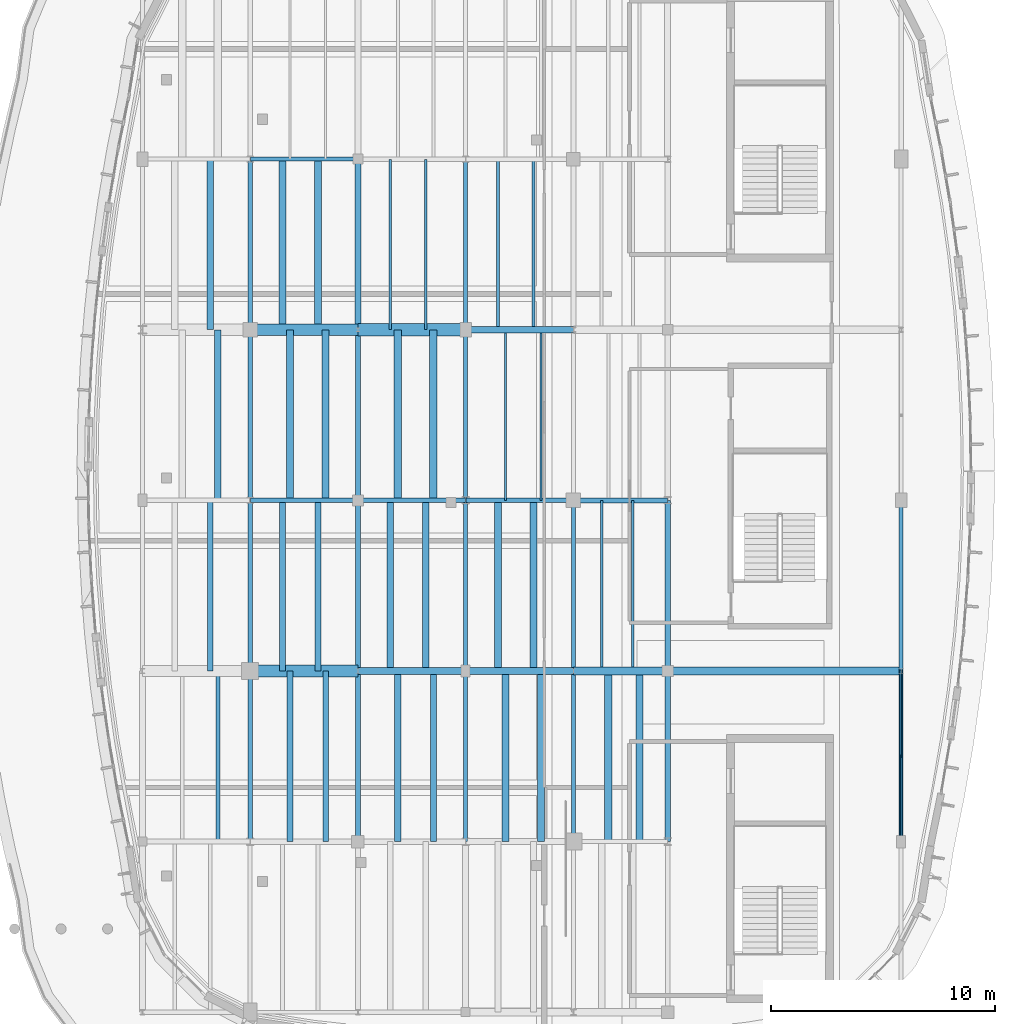
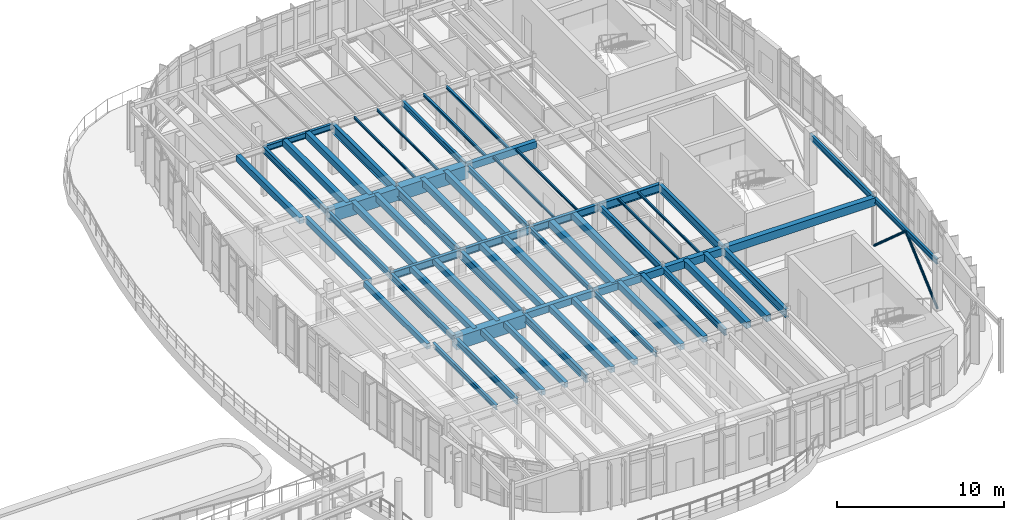
# One storey, part 51 of 111: 63 beams, 2 members.
"""IFC4 building model written with IfcOpenShell, lengths in metres."""

from ifc_helpers import new_model, si_unit, direction, frame, origin, origin_2d, place, context, subcontext, project, spatial, rectangle, hollow_circle, i_section, extrude, material, material_profile, profile_set, type_object, element, save


model = new_model("IFC4")

# Units and contexts
model_context = context("Model", 3, precision=1e-05, world=origin(), true_north=direction((0.0, 1.0)))
body_context = subcontext(model_context, "Body", "Model", "MODEL_VIEW")
ifc_project = project(units=[si_unit("LENGTHUNIT", "METRE"), si_unit("AREAUNIT", "SQUARE_METRE"), si_unit("VOLUMEUNIT", "CUBIC_METRE"), si_unit("PLANEANGLEUNIT", "RADIAN"), si_unit("MASSUNIT", "GRAM", prefix="KILO")], contexts=[model_context])

# Site, building, storey
site_placement = place(None, origin())
site = spatial("IfcSite", under=ifc_project, at=site_placement, CompositionType="ELEMENT")
building_placement = place(site_placement, origin())
building = spatial("IfcBuilding", under=site, at=building_placement, Name="Corveleigh Park Community Centre", CompositionType="ELEMENT")
storey_placement = place(building_placement, frame((0.0, 0.0, 4.800048828125)))
storey = spatial("IfcBuildingStorey", under=building, at=storey_placement, Name="L01", CompositionType="ELEMENT", Elevation=4.800048828125)

# Beams
ifc_material_1 = material(Name="Concrete C40/50", Category="concrete")
ifc_material_profile_1 = material_profile(ifc_material_1, rectangle(XDim=0.25, YDim=0.39990234375, at=origin_2d()), Name="RC-250x400", Category="concrete")
ifc_profile_set_1 = profile_set([ifc_material_profile_1], Name="Concrete C40/50")
beam_type_1 = type_object("IfcBeamType", Name="BM-RC-250x400", PredefinedType="JOIST", material=ifc_profile_set_1)
beam_1_placement = place(storey_placement, frame((137.6240234375, 73.804931640625, 3.411865234375), z_axis=(0.0, 1.0, 0.0), x_axis=(-1.0, 0.0, 0.0)))
element("IfcBeam", 1, at=beam_1_placement, inside=storey, type_object=beam_type_1, Name="Secondary floor joist", PredefinedType="JOIST", context=body_context, shape_type="SweptSolid", body=[
    extrude(rectangle(XDim=0.25, YDim=0.39990234375, at=origin_2d()), origin(), (0.0, 0.0, 1.0), 7.590087890625),
])
for number, where, z_axis, x_axis, name in (
    (2, (141.176025390625, 66.205078125, 3.411865234375), (0.0, 1.0, 0.0), (-1.0, 0.0, 0.0), "Secondary floor joist"),
    (3, (142.760009765625, 66.205078125, 3.411865234375), (0.0, 1.0, 0.0), (-1.0, 0.0, 0.0), "Secondary floor joist"),
):
    element("IfcBeam", number, at=place(storey_placement, frame(where, z_axis=z_axis, x_axis=x_axis)), inside=storey, type_object=beam_type_1, Name=name, PredefinedType="JOIST", context=body_context, shape_type="SweptSolid", body=[
        extrude(rectangle(XDim=0.25, YDim=0.39990234375, at=origin_2d()), origin(), (0.0, 0.0, 1.0), 7.58984375),
    ])
ifc_material_profile_2 = material_profile(ifc_material_1, rectangle(XDim=0.27490234375, YDim=0.425048828125, at=origin_2d()), Name="RC-275x425", Category="concrete")
ifc_profile_set_2 = profile_set([ifc_material_profile_2], Name="Concrete C40/50")
beam_type_2 = type_object("IfcBeamType", Name="BM-RC-275x425", PredefinedType="JOIST", material=ifc_profile_set_2)
for number, where, z_axis, x_axis, name in (
    (4, (137.9599609375, 81.405029296875, 3.3994140625), (0.0, 1.0, 0.0), (-1.0, 0.0, 0.0), "Secondary floor joist"),
    (5, (140.840087890625, 73.804931640625, 3.3994140625), (0.0, 1.0, 0.0), (-1.0, 0.0, 0.0), "Secondary floor joist"),
    (6, (142.424072265625, 73.804931640625, 3.3994140625), (0.0, 1.0, 0.0), (-1.0, 0.0, 0.0), "Secondary floor joist"),
):
    element("IfcBeam", number, at=place(storey_placement, frame(where, z_axis=z_axis, x_axis=x_axis)), inside=storey, type_object=beam_type_2, Name=name, PredefinedType="JOIST", context=body_context, shape_type="SweptSolid", body=[
        extrude(rectangle(XDim=0.27490234375, YDim=0.425048828125, at=origin_2d()), origin(), (0.0, 0.0, 1.0), 7.590087890625),
    ])
for number, where, z_axis, x_axis, name in (
    (7, (145.97607421875, 66.205078125, 3.3994140625), (0.0, 1.0, 0.0), (-1.0, 0.0, 0.0), "Secondary floor joist"),
    (8, (147.56005859375, 66.205078125, 3.3994140625), (0.0, 1.0, 0.0), (-1.0, 0.0, 0.0), "Secondary floor joist"),
):
    element("IfcBeam", number, at=place(storey_placement, frame(where, z_axis=z_axis, x_axis=x_axis)), inside=storey, type_object=beam_type_2, Name=name, PredefinedType="JOIST", context=body_context, shape_type="SweptSolid", body=[
        extrude(rectangle(XDim=0.27490234375, YDim=0.425048828125, at=origin_2d()), origin(), (0.0, 0.0, 1.0), 7.58984375),
    ])
ifc_material_profile_3 = material_profile(ifc_material_1, rectangle(XDim=0.300048828125, YDim=0.449951171875, at=origin_2d()), Name="RC-300x450", Category="concrete")
ifc_profile_set_3 = profile_set([ifc_material_profile_3], Name="Concrete C40/50")
beam_type_3 = type_object("IfcBeamType", Name="BM-RC-300x450", PredefinedType="JOIST", material=ifc_profile_set_3)
for number, where, z_axis, x_axis, name in (
    (9, (137.6240234375, 89.0048828125, 3.386962890625), (0.0, 1.0, 0.0), (-1.0, 0.0, 0.0), "Secondary floor joist"),
    (10, (141.176025390625, 81.405029296875, 3.386962890625), (0.0, 1.0, 0.0), (-1.0, 0.0, 0.0), "Secondary floor joist"),
    (11, (142.760009765625, 81.405029296875, 3.386962890625), (0.0, 1.0, 0.0), (-1.0, 0.0, 0.0), "Secondary floor joist"),
    (12, (145.639892578125, 73.804931640625, 3.386962890625), (0.0, 1.0, 0.0), (-1.0, 0.0, 0.0), "Secondary floor joist"),
    (13, (147.22412109375, 73.804931640625, 3.386962890625), (0.0, 1.0, 0.0), (-1.0, 0.0, 0.0), "Secondary floor joist"),
):
    element("IfcBeam", number, at=place(storey_placement, frame(where, z_axis=z_axis, x_axis=x_axis)), inside=storey, type_object=beam_type_3, Name=name, PredefinedType="JOIST", context=body_context, shape_type="SweptSolid", body=[
        extrude(rectangle(XDim=0.300048828125, YDim=0.449951171875, at=origin_2d()), origin(), (0.0, 0.0, 1.0), 7.590087890625),
    ])
for number, where, z_axis, x_axis, name in (
    (14, (150.77587890625, 66.205078125, 3.386962890625), (0.0, 1.0, 0.0), (-1.0, 0.0, 0.0), "Secondary floor joist"),
    (15, (152.360107421875, 66.205078125, 3.386962890625), (0.0, 1.0, 0.0), (-1.0, 0.0, 0.0), "Secondary floor joist"),
):
    element("IfcBeam", number, at=place(storey_placement, frame(where, z_axis=z_axis, x_axis=x_axis)), inside=storey, type_object=beam_type_3, Name=name, PredefinedType="JOIST", context=body_context, shape_type="SweptSolid", body=[
        extrude(rectangle(XDim=0.300048828125, YDim=0.449951171875, at=origin_2d()), origin(), (0.0, 0.0, 1.0), 7.58984375),
    ])
ifc_material_profile_4 = material_profile(ifc_material_1, rectangle(XDim=0.300048828125, YDim=0.5, at=origin_2d()), Name="RC-300x500", Category="concrete")
ifc_profile_set_4 = profile_set([ifc_material_profile_4], Name="Concrete C40/50")
beam_type_4 = type_object("IfcBeamType", Name="BM-RC-300x500", PredefinedType="BEAM", material=ifc_profile_set_4)
for number, where, z_axis, x_axis, name in (
    (16, (144.205078125, 73.800048828125, 3.362060546875), (1.0, 0.0, 0.0), (0.0, 1.0, 0.0), "V4 Girder X"),
    (17, (149.0048828125, 89.0, 3.362060546875), (1.0, 0.0, 0.0), (0.0, 1.0, 0.0), "V4 Girder X"),
):
    element("IfcBeam", number, at=place(storey_placement, frame(where, z_axis=z_axis, x_axis=x_axis)), inside=storey, type_object=beam_type_4, Name=name, PredefinedType="BEAM", context=body_context, shape_type="SweptSolid", body=[
        extrude(rectangle(XDim=0.300048828125, YDim=0.5, at=origin_2d()), origin(), (0.0, 0.0, 1.0), 4.7900390625),
    ])
ifc_material_profile_5 = material_profile(ifc_material_1, rectangle(XDim=0.324951171875, YDim=0.47509765625, at=origin_2d()), Name="RC-325x475", Category="concrete")
ifc_profile_set_5 = profile_set([ifc_material_profile_5], Name="Concrete C40/50")
beam_type_5 = type_object("IfcBeamType", Name="BM-RC-325x475", PredefinedType="JOIST", material=ifc_profile_set_5)
for number, where, z_axis, x_axis, name in (
    (18, (140.840087890625, 89.0048828125, 3.37451171875), (0.0, 1.0, 0.0), (-1.0, 0.0, 0.0), "Secondary floor joist"),
    (19, (142.424072265625, 89.0048828125, 3.37451171875), (0.0, 1.0, 0.0), (-1.0, 0.0, 0.0), "Secondary floor joist"),
    (20, (145.97607421875, 81.405029296875, 3.37451171875), (0.0, 1.0, 0.0), (-1.0, 0.0, 0.0), "Secondary floor joist"),
    (21, (147.56005859375, 81.405029296875, 3.37451171875), (0.0, 1.0, 0.0), (-1.0, 0.0, 0.0), "Secondary floor joist"),
    (22, (150.43994140625, 73.804931640625, 3.37451171875), (0.0, 1.0, 0.0), (-1.0, 0.0, 0.0), "Secondary floor joist"),
    (23, (152.02392578125, 73.804931640625, 3.37451171875), (0.0, 1.0, 0.0), (-1.0, 0.0, 0.0), "Secondary floor joist"),
):
    element("IfcBeam", number, at=place(storey_placement, frame(where, z_axis=z_axis, x_axis=x_axis)), inside=storey, type_object=beam_type_5, Name=name, PredefinedType="JOIST", context=body_context, shape_type="SweptSolid", body=[
        extrude(rectangle(XDim=0.324951171875, YDim=0.47509765625, at=origin_2d()), origin(), (0.0, 0.0, 1.0), 7.590087890625),
    ])
for number, where, z_axis, x_axis, name in (
    (24, (155.35400390625, 66.205078125, 3.37451171875), (0.0, 1.0, 0.0), (-1.0, 0.0, 0.0), "Secondary floor joist"),
    (25, (156.739990234375, 66.205078125, 3.37451171875), (0.0, 1.0, 0.0), (-1.0, 0.0, 0.0), "Secondary floor joist"),
):
    element("IfcBeam", number, at=place(storey_placement, frame(where, z_axis=z_axis, x_axis=x_axis)), inside=storey, type_object=beam_type_5, Name=name, PredefinedType="JOIST", context=body_context, shape_type="SweptSolid", body=[
        extrude(rectangle(XDim=0.324951171875, YDim=0.47509765625, at=origin_2d()), origin(), (0.0, 0.0, 1.0), 7.58984375),
    ])
ifc_material_profile_6 = material_profile(ifc_material_1, rectangle(XDim=0.324951171875, YDim=0.52490234375, at=origin_2d()), Name="RC-325x525", Category="concrete")
ifc_profile_set_6 = profile_set([ifc_material_profile_6], Name="Concrete C40/50")
beam_type_6 = type_object("IfcBeamType", Name="BM-RC-325x525", PredefinedType="BEAM", material=ifc_profile_set_6)
beam_2_placement = place(storey_placement, frame((149.0048828125, 73.800048828125, 3.349365234375), z_axis=(1.0, 0.0, 0.0), x_axis=(0.0, 1.0, 0.0)))
element("IfcBeam", 26, at=beam_2_placement, inside=storey, type_object=beam_type_6, Name="V4 Girder X", PredefinedType="BEAM", context=body_context, shape_type="SweptSolid", body=[
    extrude(rectangle(XDim=0.324951171875, YDim=0.52490234375, at=origin_2d()), origin(), (0.0, 0.0, 1.0), 4.7900390625),
])
ifc_material_profile_7 = material_profile(ifc_material_1, rectangle(XDim=0.35009765625, YDim=0.550048828125, at=origin_2d()), Name="RC-350x550", Category="concrete")
ifc_profile_set_7 = profile_set([ifc_material_profile_7], Name="Concrete C40/50")
beam_type_7 = type_object("IfcBeamType", Name="BM-RC-350x550", PredefinedType="BEAM", material=ifc_profile_set_7)
beam_3_placement = place(storey_placement, frame((153.804931640625, 73.800048828125, 3.3369140625), z_axis=(1.0, 0.0, 0.0), x_axis=(0.0, 1.0, 0.0)))
element("IfcBeam", 27, at=beam_3_placement, inside=storey, type_object=beam_type_7, Name="V4 Girder X", PredefinedType="BEAM", context=body_context, shape_type="SweptSolid", body=[
    extrude(rectangle(XDim=0.35009765625, YDim=0.550048828125, at=origin_2d()), origin(), (0.0, 0.0, 1.0), 4.190185546875),
])
ifc_material_profile_8 = material_profile(ifc_material_1, rectangle(XDim=0.375, YDim=0.574951171875, at=origin_2d()), Name="RC-375x575", Category="concrete")
ifc_profile_set_8 = profile_set([ifc_material_profile_8], Name="Concrete C40/50")
beam_type_8 = type_object("IfcBeamType", Name="BM-RC-375x575", PredefinedType="BEAM", material=ifc_profile_set_8)
beam_4_placement = place(storey_placement, frame((158.0048828125, 73.800048828125, 3.324462890625), z_axis=(1.0, 0.0, 0.0), x_axis=(0.0, 1.0, 0.0)))
element("IfcBeam", 28, at=beam_4_placement, inside=storey, type_object=beam_type_8, Name="V4 Girder X", PredefinedType="BEAM", context=body_context, shape_type="SweptSolid", body=[
    extrude(rectangle(XDim=0.375, YDim=0.574951171875, at=origin_2d()), origin(), (0.0, 0.0, 1.0), 10.39013671875),
])
ifc_material_profile_9 = material_profile(ifc_material_1, rectangle(XDim=0.5, YDim=0.89990234375, at=origin_2d()), Name="RC-500x900", Category="concrete")
ifc_profile_set_9 = profile_set([ifc_material_profile_9], Name="Concrete C40/50")
beam_type_9 = type_object("IfcBeamType", Name="BM-RC-500x900", PredefinedType="BEAM", material=ifc_profile_set_9)
beam_5_placement = place(storey_placement, frame((139.405029296875, 89.0, 3.161865234375), z_axis=(1.0, 0.0, 0.0), x_axis=(0.0, 1.0, 0.0)))
element("IfcBeam", 29, at=beam_5_placement, inside=storey, type_object=beam_type_9, Name="V4 Girder X", PredefinedType="BEAM", context=body_context, shape_type="SweptSolid", body=[
    extrude(rectangle(XDim=0.5, YDim=0.89990234375, at=origin_2d()), origin(), (0.0, 0.0, 1.0), 4.7900390625),
])
ifc_material_profile_10 = material_profile(ifc_material_1, rectangle(XDim=0.550048828125, YDim=0.949951171875, at=origin_2d()), Name="RC-550x950", Category="concrete")
ifc_profile_set_10 = profile_set([ifc_material_profile_10], Name="Concrete C40/50")
beam_type_10 = type_object("IfcBeamType", Name="BM-RC-550x950", PredefinedType="BEAM", material=ifc_profile_set_10)
for number, where, z_axis, x_axis, name in (
    (30, (139.405029296875, 73.800048828125, 3.136962890625), (1.0, 0.0, 0.0), (0.0, 1.0, 0.0), "V4 Girder X"),
    (31, (144.205078125, 89.0, 3.136962890625), (1.0, 0.0, 0.0), (0.0, 1.0, 0.0), "V4 Girder X"),
):
    element("IfcBeam", number, at=place(storey_placement, frame(where, z_axis=z_axis, x_axis=x_axis)), inside=storey, type_object=beam_type_10, Name=name, PredefinedType="BEAM", context=body_context, shape_type="SweptSolid", body=[
        extrude(rectangle(XDim=0.550048828125, YDim=0.949951171875, at=origin_2d()), origin(), (0.0, 0.0, 1.0), 4.7900390625),
    ])
ifc_material_2 = material(Name="Steel S355", Category="steel")
ifc_material_profile_11 = material_profile(ifc_material_2, i_section(OverallWidth=0.101318359375, OverallDepth=0.177734375, WebThickness=0.0048828125, FlangeThickness=0.0078125, at=origin_2d()), Name="UKB 178x102x19", Category="steel")
ifc_profile_set_11 = profile_set([ifc_material_profile_11], Name="Steel S355")
beam_type_11 = type_object("IfcBeamType", Name="BM-STL-UKB178x19", PredefinedType="JOIST", material=ifc_profile_set_11)
for number, where, z_axis, x_axis, name in (
    (32, (145.639892578125, 89.0048828125, 3.52294921875), (0.0, 1.0, 0.0), (-1.0, 0.0, 0.0), "Secondary floor joist"),
    (33, (147.22412109375, 89.0048828125, 3.52294921875), (0.0, 1.0, 0.0), (-1.0, 0.0, 0.0), "Secondary floor joist"),
    (34, (150.77587890625, 81.405029296875, 3.52294921875), (0.0, 1.0, 0.0), (-1.0, 0.0, 0.0), "Secondary floor joist"),
    (35, (152.360107421875, 81.405029296875, 3.52294921875), (0.0, 1.0, 0.0), (-1.0, 0.0, 0.0), "Secondary floor joist"),
    (36, (155.06005859375, 73.804931640625, 3.52294921875), (0.0, 1.0, 0.0), (-1.0, 0.0, 0.0), "Secondary floor joist"),
    (37, (156.446044921875, 73.804931640625, 3.52294921875), (0.0, 1.0, 0.0), (-1.0, 0.0, 0.0), "Secondary floor joist"),
):
    element("IfcBeam", number, at=place(storey_placement, frame(where, z_axis=z_axis, x_axis=x_axis)), inside=storey, type_object=beam_type_11, Name=name, PredefinedType="JOIST", context=body_context, shape_type="SweptSolid", body=[
        extrude(i_section(OverallWidth=0.101318359375, OverallDepth=0.177734375, WebThickness=0.0048828125, FlangeThickness=0.0078125, at=origin_2d()), origin(), (0.0, 0.0, 1.0), 7.590087890625),
    ])
ifc_material_profile_12 = material_profile(ifc_material_2, i_section(OverallWidth=0.13330078125, OverallDepth=0.203125, WebThickness=0.005615234375, FlangeThickness=0.0078125, at=origin_2d()), Name="UKB 203x133x25", Category="steel")
ifc_profile_set_12 = profile_set([ifc_material_profile_12], Name="Steel S355")
beam_type_12 = type_object("IfcBeamType", Name="BM-STL-UKB203x25", PredefinedType="JOIST", material=ifc_profile_set_12)
for number, where, z_axis, x_axis, name in (
    (38, (150.43994140625, 89.0048828125, 3.51025390625), (0.0, 1.0, 0.0), (-1.0, 0.0, 0.0), "Secondary floor joist"),
    (39, (152.02392578125, 89.0048828125, 3.51025390625), (0.0, 1.0, 0.0), (-1.0, 0.0, 0.0), "Secondary floor joist"),
):
    element("IfcBeam", number, at=place(storey_placement, frame(where, z_axis=z_axis, x_axis=x_axis)), inside=storey, type_object=beam_type_12, Name=name, PredefinedType="JOIST", context=body_context, shape_type="SweptSolid", body=[
        extrude(i_section(OverallWidth=0.13330078125, OverallDepth=0.203125, WebThickness=0.005615234375, FlangeThickness=0.0078125, at=origin_2d()), origin(), (0.0, 0.0, 1.0), 7.590087890625),
    ])
ifc_material_profile_13 = material_profile(ifc_material_2, i_section(OverallWidth=0.17138671875, OverallDepth=0.35498046875, WebThickness=0.00732421875, FlangeThickness=0.011474609375, at=origin_2d()), Name="UKB 356x171x51", Category="steel")
ifc_profile_set_13 = profile_set([ifc_material_profile_13], Name="Steel S355")
beam_type_13 = type_object("IfcBeamType", Name="BM-STL-UKB356x51", PredefinedType="JOIST", material=ifc_profile_set_13)
beam_6_placement = place(storey_placement, frame((137.9599609375, 66.205078125, 3.4345703125), z_axis=(0.0, 1.0, 0.0), x_axis=(-1.0, 0.0, 0.0)))
element("IfcBeam", 40, at=beam_6_placement, inside=storey, type_object=beam_type_13, Name="Secondary floor joist", PredefinedType="JOIST", context=body_context, shape_type="SweptSolid", body=[
    extrude(i_section(OverallWidth=0.17138671875, OverallDepth=0.35498046875, WebThickness=0.00732421875, FlangeThickness=0.011474609375, at=origin_2d()), origin(), (0.0, 0.0, 1.0), 7.58984375),
])
ifc_material_profile_14 = material_profile(ifc_material_2, i_section(OverallWidth=0.172119140625, OverallDepth=0.35791015625, WebThickness=0.008056640625, FlangeThickness=0.012939453125, at=origin_2d()), Name="UKB 356x171x57", Category="steel")
ifc_profile_set_14 = profile_set([ifc_material_profile_14], Name="Steel S355")
beam_type_14 = type_object("IfcBeamType", Name="BM-STL-UKB356x57", PredefinedType="BEAM", material=ifc_profile_set_14)
beam_7_placement = place(storey_placement, frame((149.0, 66.205078125, 3.432861328125), z_axis=(0.0, 1.0, 0.0), x_axis=(-1.0, 0.0, 0.0)))
element("IfcBeam", 41, at=beam_7_placement, inside=storey, type_object=beam_type_14, Name="V4 Girder Y", PredefinedType="BEAM", context=body_context, shape_type="SweptSolid", body=[
    extrude(i_section(OverallWidth=0.172119140625, OverallDepth=0.35791015625, WebThickness=0.008056640625, FlangeThickness=0.012939453125, at=origin_2d()), origin(), (0.0, 0.0, 1.0), 7.58984375),
])
ifc_material_profile_15 = material_profile(ifc_material_2, i_section(OverallWidth=0.173095703125, OverallDepth=0.36328125, WebThickness=0.009033203125, FlangeThickness=0.015625, at=origin_2d()), Name="UKB 356x171x67", Category="steel")
ifc_profile_set_15 = profile_set([ifc_material_profile_15], Name="Steel S355")
beam_type_15 = type_object("IfcBeamType", Name="BM-STL-UKB356x67", PredefinedType="BEAM", material=ifc_profile_set_15)
beam_8_placement = place(storey_placement, frame((149.0, 73.804931640625, 3.43017578125), z_axis=(0.0, 1.0, 0.0), x_axis=(-1.0, 0.0, 0.0)))
element("IfcBeam", 42, at=beam_8_placement, inside=storey, type_object=beam_type_15, Name="V4 Girder Y", PredefinedType="BEAM", context=body_context, shape_type="SweptSolid", body=[
    extrude(i_section(OverallWidth=0.173095703125, OverallDepth=0.36328125, WebThickness=0.009033203125, FlangeThickness=0.015625, at=origin_2d()), origin(), (0.0, 0.0, 1.0), 7.590087890625),
])
beam_9_placement = place(storey_placement, frame((168.39990234375, 66.205078125, 3.43017578125), z_axis=(0.0, 1.0, 0.0), x_axis=(-1.0, 0.0, 0.0)))
element("IfcBeam", 43, at=beam_9_placement, inside=storey, type_object=beam_type_15, Name="V4 Girder Y", PredefinedType="BEAM", context=body_context, shape_type="SweptSolid", body=[
    extrude(i_section(OverallWidth=0.173095703125, OverallDepth=0.36328125, WebThickness=0.009033203125, FlangeThickness=0.015625, at=origin_2d()), origin(), (0.0, 0.0, 1.0), 7.58984375),
])
ifc_material_profile_16 = material_profile(ifc_material_2, i_section(OverallWidth=0.177978515625, OverallDepth=0.406494140625, WebThickness=0.0078125, FlangeThickness=0.0126953125, at=origin_2d()), Name="UKB 406x178x60", Category="steel")
ifc_profile_set_16 = profile_set([ifc_material_profile_16], Name="Steel S355")
beam_type_16 = type_object("IfcBeamType", Name="BM-STL-UKB406x60", PredefinedType="BEAM", material=ifc_profile_set_16)
for number, where, z_axis, x_axis, name in (
    (44, (149.0, 81.405029296875, 3.40869140625), (0.0, 1.0, 0.0), (-1.0, 0.0, 0.0), "V4 Girder Y"),
    (45, (168.39990234375, 73.804931640625, 3.40869140625), (0.0, 1.0, 0.0), (-1.0, 0.0, 0.0), "V4 Girder Y"),
):
    element("IfcBeam", number, at=place(storey_placement, frame(where, z_axis=z_axis, x_axis=x_axis)), inside=storey, type_object=beam_type_16, Name=name, PredefinedType="BEAM", context=body_context, shape_type="SweptSolid", body=[
        extrude(i_section(OverallWidth=0.177978515625, OverallDepth=0.406494140625, WebThickness=0.0078125, FlangeThickness=0.0126953125, at=origin_2d()), origin(), (0.0, 0.0, 1.0), 7.590087890625),
    ])
ifc_material_profile_17 = material_profile(ifc_material_2, i_section(OverallWidth=0.1787109375, OverallDepth=0.409423828125, WebThickness=0.0087890625, FlangeThickness=0.014404296875, at=origin_2d()), Name="UKB 406x178x67", Category="steel")
ifc_profile_set_17 = profile_set([ifc_material_profile_17], Name="Steel S355")
beam_type_17 = type_object("IfcBeamType", Name="BM-STL-UKB406x67", PredefinedType="BEAM", material=ifc_profile_set_17)
beam_10_placement = place(storey_placement, frame((149.0, 89.0048828125, 3.4072265625), z_axis=(0.0, 1.0, 0.0), x_axis=(-1.0, 0.0, 0.0)))
element("IfcBeam", 46, at=beam_10_placement, inside=storey, type_object=beam_type_17, Name="V4 Girder Y", PredefinedType="BEAM", context=body_context, shape_type="SweptSolid", body=[
    extrude(i_section(OverallWidth=0.1787109375, OverallDepth=0.409423828125, WebThickness=0.0087890625, FlangeThickness=0.014404296875, at=origin_2d()), origin(), (0.0, 0.0, 1.0), 7.590087890625),
])
ifc_material_profile_18 = material_profile(ifc_material_2, i_section(OverallWidth=0.179443359375, OverallDepth=0.412841796875, WebThickness=0.009521484375, FlangeThickness=0.01611328125, at=origin_2d()), Name="UKB 406x178x74", Category="steel")
ifc_profile_set_18 = profile_set([ifc_material_profile_18], Name="Steel S355")
beam_type_18 = type_object("IfcBeamType", Name="BM-STL-UKB406x74", PredefinedType="BEAM", material=ifc_profile_set_18)
beam_11_placement = place(storey_placement, frame((139.405029296875, 96.60009765625, 3.405517578125), z_axis=(1.0, 0.0, 0.0), x_axis=(0.0, 1.0, 0.0)))
element("IfcBeam", 47, at=beam_11_placement, inside=storey, type_object=beam_type_18, Name="V4 Girder X", PredefinedType="BEAM", context=body_context, shape_type="SweptSolid", body=[
    extrude(i_section(OverallWidth=0.179443359375, OverallDepth=0.412841796875, WebThickness=0.009521484375, FlangeThickness=0.01611328125, at=origin_2d()), origin(), (0.0, 0.0, 1.0), 4.7900390625),
])
ifc_material_profile_19 = material_profile(ifc_material_2, i_section(OverallWidth=0.18994140625, OverallDepth=0.453369140625, WebThickness=0.008544921875, FlangeThickness=0.0126953125, at=origin_2d()), Name="UKB 457x191x67", Category="steel")
ifc_profile_set_19 = profile_set([ifc_material_profile_19], Name="Steel S355")
beam_type_19 = type_object("IfcBeamType", Name="BM-STL-UKB457x67", PredefinedType="BEAM", material=ifc_profile_set_19)
beam_12_placement = place(storey_placement, frame((139.39990234375, 66.205078125, 3.38525390625), z_axis=(0.0, 1.0, 0.0), x_axis=(-1.0, 0.0, 0.0)))
element("IfcBeam", 48, at=beam_12_placement, inside=storey, type_object=beam_type_19, Name="V4 Girder Y", PredefinedType="BEAM", context=body_context, shape_type="SweptSolid", body=[
    extrude(i_section(OverallWidth=0.18994140625, OverallDepth=0.453369140625, WebThickness=0.008544921875, FlangeThickness=0.0126953125, at=origin_2d()), origin(), (0.0, 0.0, 1.0), 7.58984375),
])
ifc_material_profile_20 = material_profile(ifc_material_2, i_section(OverallWidth=0.1904296875, OverallDepth=0.45703125, WebThickness=0.009033203125, FlangeThickness=0.014404296875, at=origin_2d()), Name="UKB 457x191x74", Category="steel")
ifc_profile_set_20 = profile_set([ifc_material_profile_20], Name="Steel S355")
beam_type_20 = type_object("IfcBeamType", Name="BM-STL-UKB457x74", PredefinedType="BEAM", material=ifc_profile_set_20)
beam_13_placement = place(storey_placement, frame((139.39990234375, 73.804931640625, 3.383544921875), z_axis=(0.0, 1.0, 0.0), x_axis=(-1.0, 0.0, 0.0)))
element("IfcBeam", 49, at=beam_13_placement, inside=storey, type_object=beam_type_20, Name="V4 Girder Y", PredefinedType="BEAM", context=body_context, shape_type="SweptSolid", body=[
    extrude(i_section(OverallWidth=0.1904296875, OverallDepth=0.45703125, WebThickness=0.009033203125, FlangeThickness=0.014404296875, at=origin_2d()), origin(), (0.0, 0.0, 1.0), 7.590087890625),
])
beam_14_placement = place(storey_placement, frame((153.800048828125, 66.205078125, 3.383544921875), z_axis=(0.0, 1.0, 0.0), x_axis=(-1.0, 0.0, 0.0)))
element("IfcBeam", 50, at=beam_14_placement, inside=storey, type_object=beam_type_20, Name="V4 Girder Y", PredefinedType="BEAM", context=body_context, shape_type="SweptSolid", body=[
    extrude(i_section(OverallWidth=0.1904296875, OverallDepth=0.45703125, WebThickness=0.009033203125, FlangeThickness=0.014404296875, at=origin_2d()), origin(), (0.0, 0.0, 1.0), 7.58984375),
])
ifc_material_profile_21 = material_profile(ifc_material_2, i_section(OverallWidth=0.19140625, OverallDepth=0.4599609375, WebThickness=0.010009765625, FlangeThickness=0.01611328125, at=origin_2d()), Name="UKB 457x191x82", Category="steel")
ifc_profile_set_21 = profile_set([ifc_material_profile_21], Name="Steel S355")
beam_type_21 = type_object("IfcBeamType", Name="BM-STL-UKB457x82", PredefinedType="BEAM", material=ifc_profile_set_21)
for number, where, z_axis, x_axis, name in (
    (51, (139.39990234375, 81.405029296875, 3.3818359375), (0.0, 1.0, 0.0), (-1.0, 0.0, 0.0), "V4 Girder Y"),
    (52, (153.800048828125, 73.804931640625, 3.3818359375), (0.0, 1.0, 0.0), (-1.0, 0.0, 0.0), "V4 Girder Y"),
):
    element("IfcBeam", number, at=place(storey_placement, frame(where, z_axis=z_axis, x_axis=x_axis)), inside=storey, type_object=beam_type_21, Name=name, PredefinedType="BEAM", context=body_context, shape_type="SweptSolid", body=[
        extrude(i_section(OverallWidth=0.19140625, OverallDepth=0.4599609375, WebThickness=0.010009765625, FlangeThickness=0.01611328125, at=origin_2d()), origin(), (0.0, 0.0, 1.0), 7.590087890625),
    ])
ifc_material_profile_22 = material_profile(ifc_material_2, i_section(OverallWidth=0.19189453125, OverallDepth=0.46337890625, WebThickness=0.010498046875, FlangeThickness=0.017578125, at=origin_2d()), Name="UKB 457x191x89", Category="steel")
ifc_profile_set_22 = profile_set([ifc_material_profile_22], Name="Steel S355")
beam_type_22 = type_object("IfcBeamType", Name="BM-STL-UKB457x89", PredefinedType="BEAM", material=ifc_profile_set_22)
beam_15_placement = place(storey_placement, frame((139.39990234375, 89.0048828125, 3.38037109375), z_axis=(0.0, 1.0, 0.0), x_axis=(-1.0, 0.0, 0.0)))
element("IfcBeam", 53, at=beam_15_placement, inside=storey, type_object=beam_type_22, Name="V4 Girder Y", PredefinedType="BEAM", context=body_context, shape_type="SweptSolid", body=[
    extrude(i_section(OverallWidth=0.19189453125, OverallDepth=0.46337890625, WebThickness=0.010498046875, FlangeThickness=0.017578125, at=origin_2d()), origin(), (0.0, 0.0, 1.0), 7.590087890625),
])
ifc_material_profile_23 = material_profile(ifc_material_2, i_section(OverallWidth=0.2099609375, OverallDepth=0.53662109375, WebThickness=0.0107421875, FlangeThickness=0.017333984375, at=origin_2d()), Name="UKB 533x210x101", Category="steel")
ifc_profile_set_23 = profile_set([ifc_material_profile_23], Name="Steel S355")
beam_type_23 = type_object("IfcBeamType", Name="BM-STL-UKB533x101", PredefinedType="BEAM", material=ifc_profile_set_23)
beam_16_placement = place(storey_placement, frame((144.205078125, 81.39990234375, 3.34375), z_axis=(1.0, 0.0, 0.0), x_axis=(0.0, 1.0, 0.0)))
element("IfcBeam", 54, at=beam_16_placement, inside=storey, type_object=beam_type_23, Name="V4 Girder X", PredefinedType="BEAM", context=body_context, shape_type="SweptSolid", body=[
    extrude(i_section(OverallWidth=0.2099609375, OverallDepth=0.53662109375, WebThickness=0.0107421875, FlangeThickness=0.017333984375, at=origin_2d()), origin(), (0.0, 0.0, 1.0), 4.7900390625),
])
ifc_material_profile_24 = material_profile(ifc_material_2, i_section(OverallWidth=0.210693359375, OverallDepth=0.53955078125, WebThickness=0.01171875, FlangeThickness=0.018798828125, at=origin_2d()), Name="UKB 533x210x109", Category="steel")
ifc_profile_set_24 = profile_set([ifc_material_profile_24], Name="Steel S355")
beam_type_24 = type_object("IfcBeamType", Name="BM-STL-UKB533x109", PredefinedType="BEAM", material=ifc_profile_set_24)
beam_17_placement = place(storey_placement, frame((149.0048828125, 81.39990234375, 3.34228515625), z_axis=(1.0, 0.0, 0.0), x_axis=(0.0, 1.0, 0.0)))
element("IfcBeam", 55, at=beam_17_placement, inside=storey, type_object=beam_type_24, Name="V4 Girder X", PredefinedType="BEAM", context=body_context, shape_type="SweptSolid", body=[
    extrude(i_section(OverallWidth=0.210693359375, OverallDepth=0.53955078125, WebThickness=0.01171875, FlangeThickness=0.018798828125, at=origin_2d()), origin(), (0.0, 0.0, 1.0), 4.7900390625),
])
beam_18_placement = place(storey_placement, frame((144.199951171875, 66.205078125, 3.34228515625), z_axis=(0.0, 1.0, 0.0), x_axis=(-1.0, 0.0, 0.0)))
element("IfcBeam", 56, at=beam_18_placement, inside=storey, type_object=beam_type_24, Name="V4 Girder Y", PredefinedType="BEAM", context=body_context, shape_type="SweptSolid", body=[
    extrude(i_section(OverallWidth=0.210693359375, OverallDepth=0.53955078125, WebThickness=0.01171875, FlangeThickness=0.018798828125, at=origin_2d()), origin(), (0.0, 0.0, 1.0), 7.58984375),
])
ifc_material_profile_25 = material_profile(ifc_material_2, i_section(OverallWidth=0.209228515625, OverallDepth=0.533203125, WebThickness=0.010009765625, FlangeThickness=0.015625, at=origin_2d()), Name="UKB 533x210x92", Category="steel")
ifc_profile_set_25 = profile_set([ifc_material_profile_25], Name="Steel S355")
beam_type_25 = type_object("IfcBeamType", Name="BM-STL-UKB533x92", PredefinedType="BEAM", material=ifc_profile_set_25)
beam_19_placement = place(storey_placement, frame((139.405029296875, 81.39990234375, 3.345458984375), z_axis=(1.0, 0.0, 0.0), x_axis=(0.0, 1.0, 0.0)))
element("IfcBeam", 57, at=beam_19_placement, inside=storey, type_object=beam_type_25, Name="V4 Girder X", PredefinedType="BEAM", context=body_context, shape_type="SweptSolid", body=[
    extrude(i_section(OverallWidth=0.209228515625, OverallDepth=0.533203125, WebThickness=0.010009765625, FlangeThickness=0.015625, at=origin_2d()), origin(), (0.0, 0.0, 1.0), 4.7900390625),
])
ifc_material_profile_26 = material_profile(ifc_material_2, i_section(OverallWidth=0.228271484375, OverallDepth=0.607666015625, WebThickness=0.010986328125, FlangeThickness=0.017333984375, at=origin_2d()), Name="UKB 610x229x113", Category="steel")
ifc_profile_set_26 = profile_set([ifc_material_profile_26], Name="Steel S355")
beam_type_26 = type_object("IfcBeamType", Name="BM-STL-UKB610x113", PredefinedType="BEAM", material=ifc_profile_set_26)
beam_20_placement = place(storey_placement, frame((153.804931640625, 81.39990234375, 3.30810546875), z_axis=(1.0, 0.0, 0.0), x_axis=(0.0, 1.0, 0.0)))
element("IfcBeam", 58, at=beam_20_placement, inside=storey, type_object=beam_type_26, Name="V4 Girder X", PredefinedType="BEAM", context=body_context, shape_type="SweptSolid", body=[
    extrude(i_section(OverallWidth=0.228271484375, OverallDepth=0.607666015625, WebThickness=0.010986328125, FlangeThickness=0.017333984375, at=origin_2d()), origin(), (0.0, 0.0, 1.0), 4.190185546875),
])
beam_21_placement = place(storey_placement, frame((144.199951171875, 73.804931640625, 3.30810546875), z_axis=(0.0, 1.0, 0.0), x_axis=(-1.0, 0.0, 0.0)))
element("IfcBeam", 59, at=beam_21_placement, inside=storey, type_object=beam_type_26, Name="V4 Girder Y", PredefinedType="BEAM", context=body_context, shape_type="SweptSolid", body=[
    extrude(i_section(OverallWidth=0.228271484375, OverallDepth=0.607666015625, WebThickness=0.010986328125, FlangeThickness=0.017333984375, at=origin_2d()), origin(), (0.0, 0.0, 1.0), 7.590087890625),
])
beam_22_placement = place(storey_placement, frame((158.0, 66.205078125, 3.30810546875), z_axis=(0.0, 1.0, 0.0), x_axis=(-1.0, 0.0, 0.0)))
element("IfcBeam", 60, at=beam_22_placement, inside=storey, type_object=beam_type_26, Name="V4 Girder Y", PredefinedType="BEAM", context=body_context, shape_type="SweptSolid", body=[
    extrude(i_section(OverallWidth=0.228271484375, OverallDepth=0.607666015625, WebThickness=0.010986328125, FlangeThickness=0.017333984375, at=origin_2d()), origin(), (0.0, 0.0, 1.0), 7.58984375),
])
ifc_material_profile_27 = material_profile(ifc_material_2, i_section(OverallWidth=0.22900390625, OverallDepth=0.6123046875, WebThickness=0.011962890625, FlangeThickness=0.01953125, at=origin_2d()), Name="UKB 610x229x125", Category="steel")
ifc_profile_set_27 = profile_set([ifc_material_profile_27], Name="Steel S355")
beam_type_27 = type_object("IfcBeamType", Name="BM-STL-UKB610x125", PredefinedType="BEAM", material=ifc_profile_set_27)
for number, where, z_axis, x_axis, name in (
    (61, (144.199951171875, 81.405029296875, 3.305908203125), (0.0, 1.0, 0.0), (-1.0, 0.0, 0.0), "V4 Girder Y"),
    (62, (158.0, 73.804931640625, 3.305908203125), (0.0, 1.0, 0.0), (-1.0, 0.0, 0.0), "V4 Girder Y"),
):
    element("IfcBeam", number, at=place(storey_placement, frame(where, z_axis=z_axis, x_axis=x_axis)), inside=storey, type_object=beam_type_27, Name=name, PredefinedType="BEAM", context=body_context, shape_type="SweptSolid", body=[
        extrude(i_section(OverallWidth=0.22900390625, OverallDepth=0.6123046875, WebThickness=0.011962890625, FlangeThickness=0.01953125, at=origin_2d()), origin(), (0.0, 0.0, 1.0), 7.590087890625),
    ])
ifc_material_profile_28 = material_profile(ifc_material_2, i_section(OverallWidth=0.253662109375, OverallDepth=0.68359375, WebThickness=0.012451171875, FlangeThickness=0.01904296875, at=origin_2d()), Name="UKB 686x254x140", Category="steel")
ifc_profile_set_28 = profile_set([ifc_material_profile_28], Name="Steel S355")
beam_type_28 = type_object("IfcBeamType", Name="BM-STL-UKB686x140", PredefinedType="BEAM", material=ifc_profile_set_28)
beam_23_placement = place(storey_placement, frame((144.199951171875, 89.0048828125, 3.270263671875), z_axis=(0.0, 1.0, 0.0), x_axis=(-1.0, 0.0, 0.0)))
element("IfcBeam", 63, at=beam_23_placement, inside=storey, type_object=beam_type_28, Name="V4 Girder Y", PredefinedType="BEAM", context=body_context, shape_type="SweptSolid", body=[
    extrude(i_section(OverallWidth=0.253662109375, OverallDepth=0.68359375, WebThickness=0.012451171875, FlangeThickness=0.01904296875, at=origin_2d()), origin(), (0.0, 0.0, 1.0), 7.590087890625),
])

# Members
ifc_material_profile_29 = material_profile(ifc_material_2, hollow_circle(Radius=0.084228515625, WallThickness=0.008056640625, at=origin_2d()), Name="CHS 168.3x8.0", Category="steel")
ifc_profile_set_29 = profile_set([ifc_material_profile_29], Name="Steel S355")
member_type = type_object("IfcMemberType", Name="MEM-BRC-CHS168", PredefinedType="BRACE", material=ifc_profile_set_29)
for number, where, z_axis, x_axis, name in (
    (64, (168.39990234375, 66.199951171875, 0.0), (0.0, 0.748949720876, 0.662626829822), (-1.0, 0.0, 0.0), "Spine chevron brace"),
    (65, (168.39990234375, 73.800048828125, 0.0), (0.0, -0.748949720876, 0.662626829822), (1.0, 0.0, 0.0), "Spine chevron brace"),
):
    element("IfcMember", number, at=place(storey_placement, frame(where, z_axis=z_axis, x_axis=x_axis)), inside=storey, type_object=member_type, Name=name, PredefinedType="BRACE", context=body_context, shape_type="SweptSolid", body=[
        extrude(hollow_circle(Radius=0.084228515625, WallThickness=0.008056640625, at=origin_2d()), origin(), (0.0, 0.0, 1.0), 5.07373046875),
    ])

save(model, "model.ifc")
